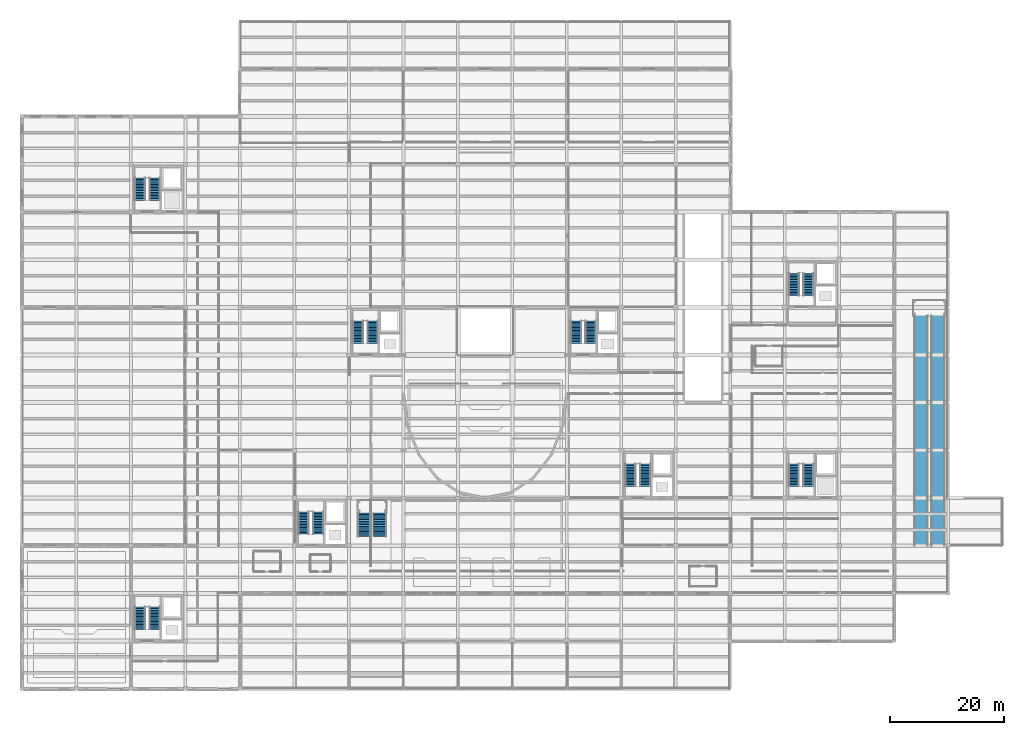
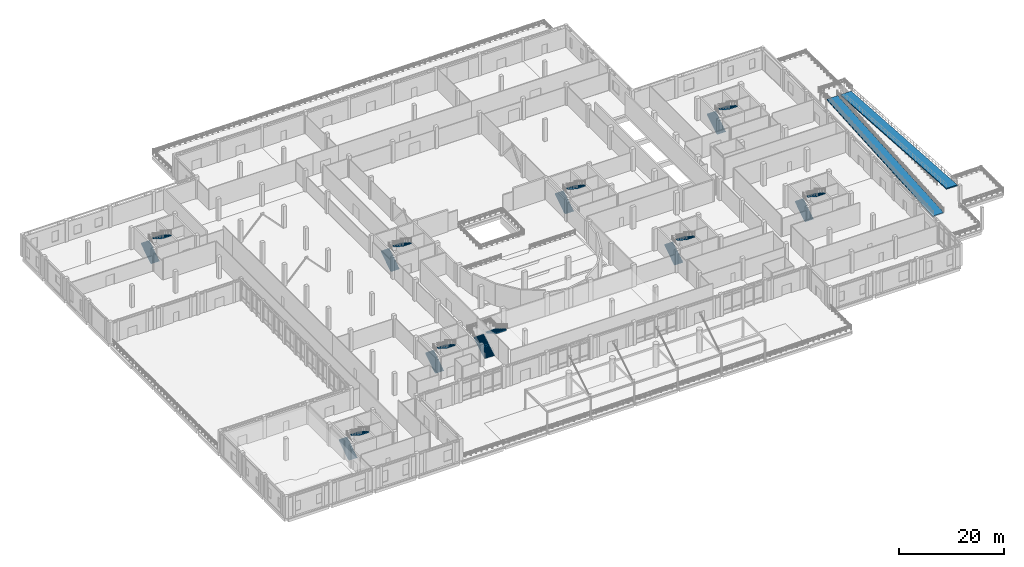
# One storey, part 60 of 71: 18 stair flights, 2 ramp flights, 10 elements without a shape of their own.
"""IFC4 building model written with IfcOpenShell, lengths in metres."""

from ifc_helpers import new_model, si_unit, direction, frame, origin, place, context, subcontext, project, spatial, polyline, outline, extrude, material, layer, layer_set, type_object, element, aggregate, save


model = new_model("IFC4")

# Units and contexts
model_context = context("Model", 3, precision=1e-05, world=origin(), true_north=direction((0.0, 1.0)))
body_context = subcontext(model_context, "Body", "Model", "MODEL_VIEW")
ifc_project = project(units=[si_unit("LENGTHUNIT", "METRE"), si_unit("AREAUNIT", "SQUARE_METRE"), si_unit("VOLUMEUNIT", "CUBIC_METRE"), si_unit("PLANEANGLEUNIT", "RADIAN"), si_unit("MASSUNIT", "GRAM", prefix="KILO")], contexts=[model_context])

# Site, building, storey
site_placement = place(None, origin())
site = spatial("IfcSite", under=ifc_project, at=site_placement, CompositionType="ELEMENT")
building_placement = place(site_placement, origin())
building = spatial("IfcBuilding", under=site, at=building_placement, Name="Lornevale Opera House", CompositionType="ELEMENT")
storey_placement = place(building_placement, origin())
storey = spatial("IfcBuildingStorey", under=building, at=storey_placement, Name="L01", CompositionType="ELEMENT", Elevation=0.0)

# Stair, stair flights
ifc_material_1 = material(Name="Concrete 35 MPa (CSA A23.1 N)", Category="concrete")
ifc_layer_1 = layer(ifc_material_1, 5.39990234375)
ifc_layer_set_1 = layer_set([ifc_layer_1], Name="Concrete 35 MPa (CSA A23.1 N)")
stair_type_1 = type_object("IfcStairType", Name="Protected Exit Stair 5400-W1840", PredefinedType="TWO_STRAIGHT_RUN_STAIR", material=ifc_layer_set_1)
stair_1_placement = place(storey_placement, origin())
stair_1 = element("IfcStair", 1, at=stair_1_placement, inside=storey, type_object=stair_type_1, Name="South-West Foyer Core Stair ST-03 (L01-L02)", PredefinedType="TWO_STRAIGHT_RUN_STAIR")
ifc_layer_2 = layer(ifc_material_1, 0.199951171875)
ifc_layer_set_2 = layer_set([ifc_layer_2], Name="Concrete 35 MPa (CSA A23.1 N)")
stair_flight_type_1 = type_object("IfcStairFlightType", Name="Exit Stair Flight 15R-180-W1840", PredefinedType="STRAIGHT", material=ifc_layer_set_2)
stair_flight_1_placement = place(storey_placement, frame((49.60009765625, 27.260009765625, 0.0), z_axis=(0.0, 0.0, 1.0), x_axis=(0.0, 1.0, 0.0)))
stair_flight_1 = element("IfcStairFlight", 2, at=stair_flight_1_placement, type_object=stair_flight_type_1, Name="ST-03 Lower Flight SF-005", NumberOfRisers=15, NumberOfTreads=14, PredefinedType="STRAIGHT", RiserHeight=0.18, TreadLength=0.28, context=body_context, shape_type="SweptSolid", body=[
    extrude(outline(polyline([(0.0, 0.0), (0.0, 0.179931640625), (0.280029296875, 0.179931640625), (0.280029296875, 0.360107421875), (0.56005859375, 0.360107421875), (0.56005859375, 0.5400390625), (0.840087890625, 0.5400390625), (0.840087890625, 0.719970703125), (1.1201171875, 0.719970703125), (1.1201171875, 0.89990234375), (1.39990234375, 0.89990234375), (1.39990234375, 1.080078125), (1.679931640625, 1.080078125), (1.679931640625, 1.260009765625), (1.9599609375, 1.260009765625), (1.9599609375, 1.43994140625), (2.239990234375, 1.43994140625), (2.239990234375, 1.6201171875), (2.52001953125, 1.6201171875), (2.52001953125, 1.800048828125), (2.800048828125, 1.800048828125), (2.800048828125, 1.97998046875), (3.080078125, 1.97998046875), (3.080078125, 2.159912109375), (3.360107421875, 2.159912109375), (3.360107421875, 2.340087890625), (3.639892578125, 2.340087890625), (3.639892578125, 2.52001953125), (3.919921875, 2.52001953125), (3.919921875, 2.2822265625), (0.369873046875, 0.0), (0.0, 0.0)])), frame((0.0, 0.919921875, 0.0), z_axis=(0.0, -1.0, 0.0), x_axis=(1.0, 0.0, 0.0)), (0.0, 0.0, 1.0), 1.840087890625),
])
stair_flight_2_placement = place(storey_placement, frame((52.199951171875, 31.179931640625, 2.699951171875), z_axis=(0.0, 0.0, 1.0), x_axis=(0.0, -1.0, 0.0)))
stair_flight_2 = element("IfcStairFlight", 3, at=stair_flight_2_placement, type_object=stair_flight_type_1, Name="ST-03 Upper Flight SF-006", NumberOfRisers=15, NumberOfTreads=14, PredefinedType="STRAIGHT", RiserHeight=0.18, TreadLength=0.28, context=body_context, shape_type="SweptSolid", body=[
    extrude(outline(polyline([(0.0, 0.0), (0.0, 0.179931640625), (0.280029296875, 0.179931640625), (0.280029296875, 0.360107421875), (0.56005859375, 0.360107421875), (0.56005859375, 0.5400390625), (0.840087890625, 0.5400390625), (0.840087890625, 0.719970703125), (1.1201171875, 0.719970703125), (1.1201171875, 0.89990234375), (1.39990234375, 0.89990234375), (1.39990234375, 1.080078125), (1.679931640625, 1.080078125), (1.679931640625, 1.260009765625), (1.9599609375, 1.260009765625), (1.9599609375, 1.43994140625), (2.239990234375, 1.43994140625), (2.239990234375, 1.6201171875), (2.52001953125, 1.6201171875), (2.52001953125, 1.800048828125), (2.800048828125, 1.800048828125), (2.800048828125, 1.97998046875), (3.080078125, 1.97998046875), (3.080078125, 2.159912109375), (3.360107421875, 2.159912109375), (3.360107421875, 2.340087890625), (3.639892578125, 2.340087890625), (3.639892578125, 2.52001953125), (3.919921875, 2.52001953125), (3.919921875, 2.2822265625), (0.369873046875, 0.0), (0.0, 0.0)])), frame((0.0, 0.919921875, 0.0), z_axis=(0.0, -1.0, 0.0), x_axis=(1.0, 0.0, 0.0)), (0.0, 0.0, 1.0), 1.840087890625),
])
aggregate(stair_1, [stair_flight_1, stair_flight_2])

stair_2_placement = place(storey_placement, origin())
stair_2 = element("IfcStair", 4, at=stair_2_placement, inside=storey, type_object=stair_type_1, Name="South-East Foyer Core Stair ST-06 (L01-L02)", PredefinedType="TWO_STRAIGHT_RUN_STAIR")
stair_flight_3_placement = place(storey_placement, frame((107.199951171875, 35.659912109375, 0.0), z_axis=(0.0, 0.0, 1.0), x_axis=(0.0, 1.0, 0.0)))
stair_flight_3 = element("IfcStairFlight", 5, at=stair_flight_3_placement, type_object=stair_flight_type_1, Name="ST-06 Lower Flight SF-011", NumberOfRisers=15, NumberOfTreads=14, PredefinedType="STRAIGHT", RiserHeight=0.18, TreadLength=0.28, context=body_context, shape_type="SweptSolid", body=[
    extrude(outline(polyline([(0.0, 0.0), (0.0, 0.179931640625), (0.280029296875, 0.179931640625), (0.280029296875, 0.360107421875), (0.56005859375, 0.360107421875), (0.56005859375, 0.5400390625), (0.840087890625, 0.5400390625), (0.840087890625, 0.719970703125), (1.1201171875, 0.719970703125), (1.1201171875, 0.89990234375), (1.39990234375, 0.89990234375), (1.39990234375, 1.080078125), (1.679931640625, 1.080078125), (1.679931640625, 1.260009765625), (1.9599609375, 1.260009765625), (1.9599609375, 1.43994140625), (2.239990234375, 1.43994140625), (2.239990234375, 1.6201171875), (2.52001953125, 1.6201171875), (2.52001953125, 1.800048828125), (2.800048828125, 1.800048828125), (2.800048828125, 1.97998046875), (3.080078125, 1.97998046875), (3.080078125, 2.159912109375), (3.360107421875, 2.159912109375), (3.360107421875, 2.340087890625), (3.639892578125, 2.340087890625), (3.639892578125, 2.52001953125), (3.919921875, 2.52001953125), (3.919921875, 2.2822265625), (0.369873046875, 0.0), (0.0, 0.0)])), frame((0.0, 0.919921875, 0.0), z_axis=(0.0, -1.0, 0.0), x_axis=(1.0, 0.0, 0.0)), (0.0, 0.0, 1.0), 1.840087890625),
])
stair_flight_4_placement = place(storey_placement, frame((109.800048828125, 39.580078125, 2.699951171875), z_axis=(0.0, 0.0, 1.0), x_axis=(0.0, -1.0, 0.0)))
stair_flight_4 = element("IfcStairFlight", 6, at=stair_flight_4_placement, type_object=stair_flight_type_1, Name="ST-06 Upper Flight SF-012", NumberOfRisers=15, NumberOfTreads=14, PredefinedType="STRAIGHT", RiserHeight=0.18, TreadLength=0.28, context=body_context, shape_type="SweptSolid", body=[
    extrude(outline(polyline([(0.0, 0.0), (0.0, 0.179931640625), (0.280029296875, 0.179931640625), (0.280029296875, 0.360107421875), (0.56005859375, 0.360107421875), (0.56005859375, 0.5400390625), (0.840087890625, 0.5400390625), (0.840087890625, 0.719970703125), (1.1201171875, 0.719970703125), (1.1201171875, 0.89990234375), (1.39990234375, 0.89990234375), (1.39990234375, 1.080078125), (1.679931640625, 1.080078125), (1.679931640625, 1.260009765625), (1.9599609375, 1.260009765625), (1.9599609375, 1.43994140625), (2.239990234375, 1.43994140625), (2.239990234375, 1.6201171875), (2.52001953125, 1.6201171875), (2.52001953125, 1.800048828125), (2.800048828125, 1.800048828125), (2.800048828125, 1.97998046875), (3.080078125, 1.97998046875), (3.080078125, 2.159912109375), (3.360107421875, 2.159912109375), (3.360107421875, 2.340087890625), (3.639892578125, 2.340087890625), (3.639892578125, 2.52001953125), (3.919921875, 2.52001953125), (3.919921875, 2.2822265625), (0.369873046875, 0.0), (0.0, 0.0)])), frame((0.0, 0.919921875, 0.0), z_axis=(0.0, -1.0, 0.0), x_axis=(1.0, 0.0, 0.0)), (0.0, 0.0, 1.0), 1.840087890625),
])
aggregate(stair_2, [stair_flight_3, stair_flight_4])

stair_3_placement = place(storey_placement, origin())
stair_3 = element("IfcStair", 7, at=stair_3_placement, inside=storey, type_object=stair_type_1, Name="Chamber Pavilion Core Stair ST-10 (L01-L02)", PredefinedType="TWO_STRAIGHT_RUN_STAIR")
stair_flight_5_placement = place(storey_placement, frame((20.800048828125, 10.4599609375, 0.0), z_axis=(0.0, 0.0, 1.0), x_axis=(0.0, 1.0, 0.0)))
stair_flight_5 = element("IfcStairFlight", 8, at=stair_flight_5_placement, type_object=stair_flight_type_1, Name="ST-10 Lower Flight SF-019", NumberOfRisers=15, NumberOfTreads=14, PredefinedType="STRAIGHT", RiserHeight=0.18, TreadLength=0.28, context=body_context, shape_type="SweptSolid", body=[
    extrude(outline(polyline([(0.0, 0.0), (0.0, 0.179931640625), (0.280029296875, 0.179931640625), (0.280029296875, 0.360107421875), (0.56005859375, 0.360107421875), (0.56005859375, 0.5400390625), (0.840087890625, 0.5400390625), (0.840087890625, 0.719970703125), (1.1201171875, 0.719970703125), (1.1201171875, 0.89990234375), (1.39990234375, 0.89990234375), (1.39990234375, 1.080078125), (1.679931640625, 1.080078125), (1.679931640625, 1.260009765625), (1.9599609375, 1.260009765625), (1.9599609375, 1.43994140625), (2.239990234375, 1.43994140625), (2.239990234375, 1.6201171875), (2.52001953125, 1.6201171875), (2.52001953125, 1.800048828125), (2.800048828125, 1.800048828125), (2.800048828125, 1.97998046875), (3.080078125, 1.97998046875), (3.080078125, 2.159912109375), (3.360107421875, 2.159912109375), (3.360107421875, 2.340087890625), (3.639892578125, 2.340087890625), (3.639892578125, 2.52001953125), (3.919921875, 2.52001953125), (3.919921875, 2.2822265625), (0.369873046875, 0.0), (0.0, 0.0)])), frame((0.0, 0.919921875, 0.0), z_axis=(0.0, -1.0, 0.0), x_axis=(1.0, 0.0, 0.0)), (0.0, 0.0, 1.0), 1.840087890625),
])
stair_flight_6_placement = place(storey_placement, frame((23.39990234375, 14.3798828125, 2.699951171875), z_axis=(0.0, 0.0, 1.0), x_axis=(0.0, -1.0, 0.0)))
stair_flight_6 = element("IfcStairFlight", 9, at=stair_flight_6_placement, type_object=stair_flight_type_1, Name="ST-10 Upper Flight SF-020", NumberOfRisers=15, NumberOfTreads=14, PredefinedType="STRAIGHT", RiserHeight=0.18, TreadLength=0.28, context=body_context, shape_type="SweptSolid", body=[
    extrude(outline(polyline([(0.0, 0.0), (0.0, 0.179931640625), (0.280029296875, 0.179931640625), (0.280029296875, 0.360107421875), (0.56005859375, 0.360107421875), (0.56005859375, 0.5400390625), (0.840087890625, 0.5400390625), (0.840087890625, 0.719970703125), (1.1201171875, 0.719970703125), (1.1201171875, 0.89990234375), (1.39990234375, 0.89990234375), (1.39990234375, 1.080078125), (1.679931640625, 1.080078125), (1.679931640625, 1.260009765625), (1.9599609375, 1.260009765625), (1.9599609375, 1.43994140625), (2.239990234375, 1.43994140625), (2.239990234375, 1.6201171875), (2.52001953125, 1.6201171875), (2.52001953125, 1.800048828125), (2.800048828125, 1.800048828125), (2.800048828125, 1.97998046875), (3.080078125, 1.97998046875), (3.080078125, 2.159912109375), (3.360107421875, 2.159912109375), (3.360107421875, 2.340087890625), (3.639892578125, 2.340087890625), (3.639892578125, 2.52001953125), (3.919921875, 2.52001953125), (3.919921875, 2.2822265625), (0.369873046875, 0.0), (0.0, 0.0)])), frame((0.0, 0.919921875, 0.0), z_axis=(0.0, -1.0, 0.0), x_axis=(1.0, 0.0, 0.0)), (0.0, 0.0, 1.0), 1.840087890625),
])
aggregate(stair_3, [stair_flight_5, stair_flight_6])

stair_4_placement = place(storey_placement, origin())
stair_4 = element("IfcStair", 10, at=stair_4_placement, inside=storey, type_object=stair_type_1, Name="North-West Workshop Core Stair ST-13 (L01-L02)", PredefinedType="TWO_STRAIGHT_RUN_STAIR")
stair_flight_7_placement = place(storey_placement, frame((20.800048828125, 86.06005859375, 0.0), z_axis=(0.0, 0.0, 1.0), x_axis=(0.0, 1.0, 0.0)))
stair_flight_7 = element("IfcStairFlight", 11, at=stair_flight_7_placement, type_object=stair_flight_type_1, Name="ST-13 Lower Flight SF-025", NumberOfRisers=15, NumberOfTreads=14, PredefinedType="STRAIGHT", RiserHeight=0.18, TreadLength=0.28, context=body_context, shape_type="SweptSolid", body=[
    extrude(outline(polyline([(0.0, 0.0), (0.0, 0.179931640625), (0.280029296875, 0.179931640625), (0.280029296875, 0.360107421875), (0.56005859375, 0.360107421875), (0.56005859375, 0.5400390625), (0.840087890625, 0.5400390625), (0.840087890625, 0.719970703125), (1.1201171875, 0.719970703125), (1.1201171875, 0.89990234375), (1.39990234375, 0.89990234375), (1.39990234375, 1.080078125), (1.679931640625, 1.080078125), (1.679931640625, 1.260009765625), (1.9599609375, 1.260009765625), (1.9599609375, 1.43994140625), (2.239990234375, 1.43994140625), (2.239990234375, 1.6201171875), (2.52001953125, 1.6201171875), (2.52001953125, 1.800048828125), (2.800048828125, 1.800048828125), (2.800048828125, 1.97998046875), (3.080078125, 1.97998046875), (3.080078125, 2.159912109375), (3.360107421875, 2.159912109375), (3.360107421875, 2.340087890625), (3.639892578125, 2.340087890625), (3.639892578125, 2.52001953125), (3.919921875, 2.52001953125), (3.919921875, 2.2822265625), (0.369873046875, 0.0), (0.0, 0.0)])), frame((0.0, 0.919921875, 0.0), z_axis=(0.0, -1.0, 0.0), x_axis=(1.0, 0.0, 0.0)), (0.0, 0.0, 1.0), 1.840087890625),
])
stair_flight_8_placement = place(storey_placement, frame((23.39990234375, 89.97998046875, 2.699951171875), z_axis=(0.0, 0.0, 1.0), x_axis=(0.0, -1.0, 0.0)))
stair_flight_8 = element("IfcStairFlight", 12, at=stair_flight_8_placement, type_object=stair_flight_type_1, Name="ST-13 Upper Flight SF-026", NumberOfRisers=15, NumberOfTreads=14, PredefinedType="STRAIGHT", RiserHeight=0.18, TreadLength=0.28, context=body_context, shape_type="SweptSolid", body=[
    extrude(outline(polyline([(0.0, 0.0), (0.0, 0.179931640625), (0.280029296875, 0.179931640625), (0.280029296875, 0.360107421875), (0.56005859375, 0.360107421875), (0.56005859375, 0.5400390625), (0.840087890625, 0.5400390625), (0.840087890625, 0.719970703125), (1.1201171875, 0.719970703125), (1.1201171875, 0.89990234375), (1.39990234375, 0.89990234375), (1.39990234375, 1.080078125), (1.679931640625, 1.080078125), (1.679931640625, 1.260009765625), (1.9599609375, 1.260009765625), (1.9599609375, 1.43994140625), (2.239990234375, 1.43994140625), (2.239990234375, 1.6201171875), (2.52001953125, 1.6201171875), (2.52001953125, 1.800048828125), (2.800048828125, 1.800048828125), (2.800048828125, 1.97998046875), (3.080078125, 1.97998046875), (3.080078125, 2.159912109375), (3.360107421875, 2.159912109375), (3.360107421875, 2.340087890625), (3.639892578125, 2.340087890625), (3.639892578125, 2.52001953125), (3.919921875, 2.52001953125), (3.919921875, 2.2822265625), (0.369873046875, 0.0), (0.0, 0.0)])), frame((0.0, 0.919921875, 0.0), z_axis=(0.0, -1.0, 0.0), x_axis=(1.0, 0.0, 0.0)), (0.0, 0.0, 1.0), 1.840087890625),
])
aggregate(stair_4, [stair_flight_7, stair_flight_8])

stair_5_placement = place(storey_placement, origin())
stair_5 = element("IfcStair", 13, at=stair_5_placement, inside=storey, type_object=stair_type_1, Name="Auditorium West Tier Core Stair ST-16 (L01-L02)", PredefinedType="TWO_STRAIGHT_RUN_STAIR")
stair_flight_9_placement = place(storey_placement, frame((59.199951171875, 60.860107421875, 0.0), z_axis=(0.0, 0.0, 1.0), x_axis=(0.0, 1.0, 0.0)))
stair_flight_9 = element("IfcStairFlight", 14, at=stair_flight_9_placement, type_object=stair_flight_type_1, Name="ST-16 Lower Flight SF-031", NumberOfRisers=15, NumberOfTreads=14, PredefinedType="STRAIGHT", RiserHeight=0.18, TreadLength=0.28, context=body_context, shape_type="SweptSolid", body=[
    extrude(outline(polyline([(0.0, 0.0), (0.0, 0.179931640625), (0.280029296875, 0.179931640625), (0.280029296875, 0.360107421875), (0.56005859375, 0.360107421875), (0.56005859375, 0.5400390625), (0.840087890625, 0.5400390625), (0.840087890625, 0.719970703125), (1.1201171875, 0.719970703125), (1.1201171875, 0.89990234375), (1.39990234375, 0.89990234375), (1.39990234375, 1.080078125), (1.679931640625, 1.080078125), (1.679931640625, 1.260009765625), (1.9599609375, 1.260009765625), (1.9599609375, 1.43994140625), (2.239990234375, 1.43994140625), (2.239990234375, 1.6201171875), (2.52001953125, 1.6201171875), (2.52001953125, 1.800048828125), (2.800048828125, 1.800048828125), (2.800048828125, 1.97998046875), (3.080078125, 1.97998046875), (3.080078125, 2.159912109375), (3.360107421875, 2.159912109375), (3.360107421875, 2.340087890625), (3.639892578125, 2.340087890625), (3.639892578125, 2.52001953125), (3.919921875, 2.52001953125), (3.919921875, 2.2822265625), (0.369873046875, 0.0), (0.0, 0.0)])), frame((0.0, 0.919921875, 0.0), z_axis=(0.0, -1.0, 0.0), x_axis=(1.0, 0.0, 0.0)), (0.0, 0.0, 1.0), 1.840087890625),
])
stair_flight_10_placement = place(storey_placement, frame((61.800048828125, 64.780029296875, 2.699951171875), z_axis=(0.0, 0.0, 1.0), x_axis=(0.0, -1.0, 0.0)))
stair_flight_10 = element("IfcStairFlight", 15, at=stair_flight_10_placement, type_object=stair_flight_type_1, Name="ST-16 Upper Flight SF-032", NumberOfRisers=15, NumberOfTreads=14, PredefinedType="STRAIGHT", RiserHeight=0.18, TreadLength=0.28, context=body_context, shape_type="SweptSolid", body=[
    extrude(outline(polyline([(0.0, 0.0), (0.0, 0.179931640625), (0.280029296875, 0.179931640625), (0.280029296875, 0.360107421875), (0.56005859375, 0.360107421875), (0.56005859375, 0.5400390625), (0.840087890625, 0.5400390625), (0.840087890625, 0.719970703125), (1.1201171875, 0.719970703125), (1.1201171875, 0.89990234375), (1.39990234375, 0.89990234375), (1.39990234375, 1.080078125), (1.679931640625, 1.080078125), (1.679931640625, 1.260009765625), (1.9599609375, 1.260009765625), (1.9599609375, 1.43994140625), (2.239990234375, 1.43994140625), (2.239990234375, 1.6201171875), (2.52001953125, 1.6201171875), (2.52001953125, 1.800048828125), (2.800048828125, 1.800048828125), (2.800048828125, 1.97998046875), (3.080078125, 1.97998046875), (3.080078125, 2.159912109375), (3.360107421875, 2.159912109375), (3.360107421875, 2.340087890625), (3.639892578125, 2.340087890625), (3.639892578125, 2.52001953125), (3.919921875, 2.52001953125), (3.919921875, 2.2822265625), (0.369873046875, 0.0), (0.0, 0.0)])), frame((0.0, 0.919921875, 0.0), z_axis=(0.0, -1.0, 0.0), x_axis=(1.0, 0.0, 0.0)), (0.0, 0.0, 1.0), 1.840087890625),
])
aggregate(stair_5, [stair_flight_9, stair_flight_10])

stair_6_placement = place(storey_placement, origin())
stair_6 = element("IfcStair", 16, at=stair_6_placement, inside=storey, type_object=stair_type_1, Name="Backstage Service Lift Core Stair ST-37 (L01-L02)", PredefinedType="TWO_STRAIGHT_RUN_STAIR")
stair_flight_11_placement = place(storey_placement, frame((136.0, 35.659912109375, 0.0), z_axis=(0.0, 0.0, 1.0), x_axis=(0.0, 1.0, 0.0)))
stair_flight_11 = element("IfcStairFlight", 17, at=stair_flight_11_placement, type_object=stair_flight_type_1, Name="ST-37 Lower Flight SF-073", NumberOfRisers=15, NumberOfTreads=14, PredefinedType="STRAIGHT", RiserHeight=0.18, TreadLength=0.28, context=body_context, shape_type="SweptSolid", body=[
    extrude(outline(polyline([(0.0, 0.0), (0.0, 0.179931640625), (0.280029296875, 0.179931640625), (0.280029296875, 0.360107421875), (0.56005859375, 0.360107421875), (0.56005859375, 0.5400390625), (0.840087890625, 0.5400390625), (0.840087890625, 0.719970703125), (1.1201171875, 0.719970703125), (1.1201171875, 0.89990234375), (1.39990234375, 0.89990234375), (1.39990234375, 1.080078125), (1.679931640625, 1.080078125), (1.679931640625, 1.260009765625), (1.9599609375, 1.260009765625), (1.9599609375, 1.43994140625), (2.239990234375, 1.43994140625), (2.239990234375, 1.6201171875), (2.52001953125, 1.6201171875), (2.52001953125, 1.800048828125), (2.800048828125, 1.800048828125), (2.800048828125, 1.97998046875), (3.080078125, 1.97998046875), (3.080078125, 2.159912109375), (3.360107421875, 2.159912109375), (3.360107421875, 2.340087890625), (3.639892578125, 2.340087890625), (3.639892578125, 2.52001953125), (3.919921875, 2.52001953125), (3.919921875, 2.2822265625), (0.369873046875, 0.0), (0.0, 0.0)])), frame((0.0, 0.919921875, 0.0), z_axis=(0.0, -1.0, 0.0), x_axis=(1.0, 0.0, 0.0)), (0.0, 0.0, 1.0), 1.840087890625),
])
stair_flight_12_placement = place(storey_placement, frame((138.60009765625, 39.580078125, 2.699951171875), z_axis=(0.0, 0.0, 1.0), x_axis=(0.0, -1.0, 0.0)))
stair_flight_12 = element("IfcStairFlight", 18, at=stair_flight_12_placement, type_object=stair_flight_type_1, Name="ST-37 Upper Flight SF-074", NumberOfRisers=15, NumberOfTreads=14, PredefinedType="STRAIGHT", RiserHeight=0.18, TreadLength=0.28, context=body_context, shape_type="SweptSolid", body=[
    extrude(outline(polyline([(0.0, 0.0), (0.0, 0.179931640625), (0.280029296875, 0.179931640625), (0.280029296875, 0.360107421875), (0.56005859375, 0.360107421875), (0.56005859375, 0.5400390625), (0.840087890625, 0.5400390625), (0.840087890625, 0.719970703125), (1.1201171875, 0.719970703125), (1.1201171875, 0.89990234375), (1.39990234375, 0.89990234375), (1.39990234375, 1.080078125), (1.679931640625, 1.080078125), (1.679931640625, 1.260009765625), (1.9599609375, 1.260009765625), (1.9599609375, 1.43994140625), (2.239990234375, 1.43994140625), (2.239990234375, 1.6201171875), (2.52001953125, 1.6201171875), (2.52001953125, 1.800048828125), (2.800048828125, 1.800048828125), (2.800048828125, 1.97998046875), (3.080078125, 1.97998046875), (3.080078125, 2.159912109375), (3.360107421875, 2.159912109375), (3.360107421875, 2.340087890625), (3.639892578125, 2.340087890625), (3.639892578125, 2.52001953125), (3.919921875, 2.52001953125), (3.919921875, 2.2822265625), (0.369873046875, 0.0), (0.0, 0.0)])), frame((0.0, 0.919921875, 0.0), z_axis=(0.0, -1.0, 0.0), x_axis=(1.0, 0.0, 0.0)), (0.0, 0.0, 1.0), 1.840087890625),
])
aggregate(stair_6, [stair_flight_11, stair_flight_12])

ifc_layer_3 = layer(ifc_material_1, 5.39990234375)
ifc_layer_set_3 = layer_set([ifc_layer_3], Name="Concrete 35 MPa (CSA A23.1 N)")
stair_type_2 = type_object("IfcStairType", Name="Grand Foyer Feature Stair 5400-W2200", PredefinedType="TWO_STRAIGHT_RUN_STAIR", material=ifc_layer_set_3)
stair_7_placement = place(storey_placement, origin())
stair_7 = element("IfcStair", 19, at=stair_7_placement, inside=storey, type_object=stair_type_2, Name="Winter-Garden Grand Stair ST-40", PredefinedType="TWO_STRAIGHT_RUN_STAIR")
ifc_layer_4 = layer(ifc_material_1, 0.239990234375)
ifc_layer_set_4 = layer_set([ifc_layer_4], Name="Concrete 35 MPa (CSA A23.1 N)")
stair_flight_type_2 = type_object("IfcStairFlightType", Name="Feature Stair Flight 15R-W2200", PredefinedType="STRAIGHT", material=ifc_layer_set_4)
stair_flight_13_placement = place(storey_placement, frame((60.39990234375, 26.800048828125, 0.0), z_axis=(0.0, 0.0, 1.0), x_axis=(0.0, 1.0, 0.0)))
stair_flight_13 = element("IfcStairFlight", 20, at=stair_flight_13_placement, type_object=stair_flight_type_2, Name="Grand Stair Lower Flight ST-40", NumberOfRisers=15, NumberOfTreads=14, PredefinedType="STRAIGHT", RiserHeight=0.18, TreadLength=0.3, context=body_context, shape_type="SweptSolid", body=[
    extrude(outline(polyline([(0.0, 0.0), (0.0, 0.179931640625), (0.300048828125, 0.179931640625), (0.300048828125, 0.360107421875), (0.60009765625, 0.360107421875), (0.60009765625, 0.5400390625), (0.89990234375, 0.5400390625), (0.89990234375, 0.719970703125), (1.199951171875, 0.719970703125), (1.199951171875, 0.89990234375), (1.5, 0.89990234375), (1.5, 1.080078125), (1.800048828125, 1.080078125), (1.800048828125, 1.260009765625), (2.10009765625, 1.260009765625), (2.10009765625, 1.43994140625), (2.39990234375, 1.43994140625), (2.39990234375, 1.6201171875), (2.699951171875, 1.6201171875), (2.699951171875, 1.800048828125), (3.0, 1.800048828125), (3.0, 1.97998046875), (3.300048828125, 1.97998046875), (3.300048828125, 2.159912109375), (3.60009765625, 2.159912109375), (3.60009765625, 2.340087890625), (3.89990234375, 2.340087890625), (3.89990234375, 2.52001953125), (4.199951171875, 2.52001953125), (4.199951171875, 2.240234375), (0.466552734375, 0.0), (0.0, 0.0)])), frame((0.0, 1.10009765625, 0.0), z_axis=(0.0, -1.0, 0.0), x_axis=(1.0, 0.0, 0.0)), (0.0, 0.0, 1.0), 2.199951171875),
])
stair_flight_14_placement = place(storey_placement, frame((63.0, 31.0, 2.699951171875), z_axis=(0.0, 0.0, 1.0), x_axis=(0.0, -1.0, 0.0)))
stair_flight_14 = element("IfcStairFlight", 21, at=stair_flight_14_placement, type_object=stair_flight_type_2, Name="Grand Stair Upper Flight ST-40", NumberOfRisers=15, NumberOfTreads=14, PredefinedType="STRAIGHT", RiserHeight=0.18, TreadLength=0.3, context=body_context, shape_type="SweptSolid", body=[
    extrude(outline(polyline([(0.0, 0.0), (0.0, 0.179931640625), (0.300048828125, 0.179931640625), (0.300048828125, 0.360107421875), (0.60009765625, 0.360107421875), (0.60009765625, 0.5400390625), (0.89990234375, 0.5400390625), (0.89990234375, 0.719970703125), (1.199951171875, 0.719970703125), (1.199951171875, 0.89990234375), (1.5, 0.89990234375), (1.5, 1.080078125), (1.800048828125, 1.080078125), (1.800048828125, 1.260009765625), (2.10009765625, 1.260009765625), (2.10009765625, 1.43994140625), (2.39990234375, 1.43994140625), (2.39990234375, 1.6201171875), (2.699951171875, 1.6201171875), (2.699951171875, 1.800048828125), (3.0, 1.800048828125), (3.0, 1.97998046875), (3.300048828125, 1.97998046875), (3.300048828125, 2.159912109375), (3.60009765625, 2.159912109375), (3.60009765625, 2.340087890625), (3.89990234375, 2.340087890625), (3.89990234375, 2.52001953125), (4.199951171875, 2.52001953125), (4.199951171875, 2.240234375), (0.466552734375, 0.0), (0.0, 0.0)])), frame((0.0, 1.10009765625, 0.0), z_axis=(0.0, -1.0, 0.0), x_axis=(1.0, 0.0, 0.0)), (0.0, 0.0, 1.0), 2.199951171875),
])
aggregate(stair_7, [stair_flight_13, stair_flight_14])

ifc_layer_5 = layer(ifc_material_1, 5.39990234375)
ifc_layer_set_5 = layer_set([ifc_layer_5], Name="Concrete 35 MPa (CSA A23.1 N)")
stair_type_3 = type_object("IfcStairType", Name="Firefighter Core Stair 5400-W1880", PredefinedType="TWO_STRAIGHT_RUN_STAIR", material=ifc_layer_set_5)
stair_8_placement = place(storey_placement, origin())
stair_8 = element("IfcStair", 22, at=stair_8_placement, inside=storey, type_object=stair_type_3, Name="Stagehouse Firefighter Core West Stair ST-22 (L01-L02)", PredefinedType="TWO_STRAIGHT_RUN_STAIR")
ifc_layer_6 = layer(ifc_material_1, 0.219970703125)
ifc_layer_set_6 = layer_set([ifc_layer_6], Name="Concrete 35 MPa (CSA A23.1 N)")
stair_flight_type_3 = type_object("IfcStairFlightType", Name="Firefighter Flight 15R-180-W1880", PredefinedType="STRAIGHT", material=ifc_layer_set_6)
stair_flight_15_placement = place(storey_placement, frame((97.6201171875, 60.860107421875, 0.0), z_axis=(0.0, 0.0, 1.0), x_axis=(0.0, 1.0, 0.0)))
stair_flight_15 = element("IfcStairFlight", 23, at=stair_flight_15_placement, type_object=stair_flight_type_3, Name="ST-22 Lower Flight SF-043", NumberOfRisers=15, NumberOfTreads=14, PredefinedType="STRAIGHT", RiserHeight=0.18, TreadLength=0.28, context=body_context, shape_type="SweptSolid", body=[
    extrude(outline(polyline([(0.0, 0.0), (0.0, 0.179931640625), (0.280029296875, 0.179931640625), (0.280029296875, 0.360107421875), (0.56005859375, 0.360107421875), (0.56005859375, 0.5400390625), (0.840087890625, 0.5400390625), (0.840087890625, 0.719970703125), (1.1201171875, 0.719970703125), (1.1201171875, 0.89990234375), (1.39990234375, 0.89990234375), (1.39990234375, 1.080078125), (1.679931640625, 1.080078125), (1.679931640625, 1.260009765625), (1.9599609375, 1.260009765625), (1.9599609375, 1.43994140625), (2.239990234375, 1.43994140625), (2.239990234375, 1.6201171875), (2.52001953125, 1.6201171875), (2.52001953125, 1.800048828125), (2.800048828125, 1.800048828125), (2.800048828125, 1.97998046875), (3.080078125, 1.97998046875), (3.080078125, 2.159912109375), (3.360107421875, 2.159912109375), (3.360107421875, 2.340087890625), (3.639892578125, 2.340087890625), (3.639892578125, 2.52001953125), (3.919921875, 2.52001953125), (3.919921875, 2.258544921875), (0.40673828125, 0.0), (0.0, 0.0)])), frame((0.0, 0.93994140625, 0.0), z_axis=(0.0, -1.0, 0.0), x_axis=(1.0, 0.0, 0.0)), (0.0, 0.0, 1.0), 1.8798828125),
])
stair_flight_16_placement = place(storey_placement, frame((100.179931640625, 64.780029296875, 2.699951171875), z_axis=(0.0, 0.0, 1.0), x_axis=(0.0, -1.0, 0.0)))
stair_flight_16 = element("IfcStairFlight", 24, at=stair_flight_16_placement, type_object=stair_flight_type_3, Name="ST-22 Upper Flight SF-044", NumberOfRisers=15, NumberOfTreads=14, PredefinedType="STRAIGHT", RiserHeight=0.18, TreadLength=0.28, context=body_context, shape_type="SweptSolid", body=[
    extrude(outline(polyline([(0.0, 0.0), (0.0, 0.179931640625), (0.280029296875, 0.179931640625), (0.280029296875, 0.360107421875), (0.56005859375, 0.360107421875), (0.56005859375, 0.5400390625), (0.840087890625, 0.5400390625), (0.840087890625, 0.719970703125), (1.1201171875, 0.719970703125), (1.1201171875, 0.89990234375), (1.39990234375, 0.89990234375), (1.39990234375, 1.080078125), (1.679931640625, 1.080078125), (1.679931640625, 1.260009765625), (1.9599609375, 1.260009765625), (1.9599609375, 1.43994140625), (2.239990234375, 1.43994140625), (2.239990234375, 1.6201171875), (2.52001953125, 1.6201171875), (2.52001953125, 1.800048828125), (2.800048828125, 1.800048828125), (2.800048828125, 1.97998046875), (3.080078125, 1.97998046875), (3.080078125, 2.159912109375), (3.360107421875, 2.159912109375), (3.360107421875, 2.340087890625), (3.639892578125, 2.340087890625), (3.639892578125, 2.52001953125), (3.919921875, 2.52001953125), (3.919921875, 2.258544921875), (0.40673828125, 0.0), (0.0, 0.0)])), frame((0.0, 0.93994140625, 0.0), z_axis=(0.0, -1.0, 0.0), x_axis=(1.0, 0.0, 0.0)), (0.0, 0.0, 1.0), 1.8798828125),
])
aggregate(stair_8, [stair_flight_15, stair_flight_16])

stair_9_placement = place(storey_placement, origin())
stair_9 = element("IfcStair", 25, at=stair_9_placement, inside=storey, type_object=stair_type_3, Name="Backstage Firefighter Core East Stair ST-30 (L01-L02)", PredefinedType="TWO_STRAIGHT_RUN_STAIR")
stair_flight_17_placement = place(storey_placement, frame((136.02001953125, 69.260009765625, 0.0), z_axis=(0.0, 0.0, 1.0), x_axis=(0.0, 1.0, 0.0)))
stair_flight_17 = element("IfcStairFlight", 26, at=stair_flight_17_placement, type_object=stair_flight_type_3, Name="ST-30 Lower Flight SF-059", NumberOfRisers=15, NumberOfTreads=14, PredefinedType="STRAIGHT", RiserHeight=0.18, TreadLength=0.28, context=body_context, shape_type="SweptSolid", body=[
    extrude(outline(polyline([(0.0, 0.0), (0.0, 0.179931640625), (0.280029296875, 0.179931640625), (0.280029296875, 0.360107421875), (0.56005859375, 0.360107421875), (0.56005859375, 0.5400390625), (0.840087890625, 0.5400390625), (0.840087890625, 0.719970703125), (1.1201171875, 0.719970703125), (1.1201171875, 0.89990234375), (1.39990234375, 0.89990234375), (1.39990234375, 1.080078125), (1.679931640625, 1.080078125), (1.679931640625, 1.260009765625), (1.9599609375, 1.260009765625), (1.9599609375, 1.43994140625), (2.239990234375, 1.43994140625), (2.239990234375, 1.6201171875), (2.52001953125, 1.6201171875), (2.52001953125, 1.800048828125), (2.800048828125, 1.800048828125), (2.800048828125, 1.97998046875), (3.080078125, 1.97998046875), (3.080078125, 2.159912109375), (3.360107421875, 2.159912109375), (3.360107421875, 2.340087890625), (3.639892578125, 2.340087890625), (3.639892578125, 2.52001953125), (3.919921875, 2.52001953125), (3.919921875, 2.258544921875), (0.40673828125, 0.0), (0.0, 0.0)])), frame((0.0, 0.93994140625, 0.0), z_axis=(0.0, -1.0, 0.0), x_axis=(1.0, 0.0, 0.0)), (0.0, 0.0, 1.0), 1.8798828125),
])
stair_flight_18_placement = place(storey_placement, frame((138.580078125, 73.179931640625, 2.699951171875), z_axis=(0.0, 0.0, 1.0), x_axis=(0.0, -1.0, 0.0)))
stair_flight_18 = element("IfcStairFlight", 27, at=stair_flight_18_placement, type_object=stair_flight_type_3, Name="ST-30 Upper Flight SF-060", NumberOfRisers=15, NumberOfTreads=14, PredefinedType="STRAIGHT", RiserHeight=0.18, TreadLength=0.28, context=body_context, shape_type="SweptSolid", body=[
    extrude(outline(polyline([(0.0, 0.0), (0.0, 0.179931640625), (0.280029296875, 0.179931640625), (0.280029296875, 0.360107421875), (0.56005859375, 0.360107421875), (0.56005859375, 0.5400390625), (0.840087890625, 0.5400390625), (0.840087890625, 0.719970703125), (1.1201171875, 0.719970703125), (1.1201171875, 0.89990234375), (1.39990234375, 0.89990234375), (1.39990234375, 1.080078125), (1.679931640625, 1.080078125), (1.679931640625, 1.260009765625), (1.9599609375, 1.260009765625), (1.9599609375, 1.43994140625), (2.239990234375, 1.43994140625), (2.239990234375, 1.6201171875), (2.52001953125, 1.6201171875), (2.52001953125, 1.800048828125), (2.800048828125, 1.800048828125), (2.800048828125, 1.97998046875), (3.080078125, 1.97998046875), (3.080078125, 2.159912109375), (3.360107421875, 2.159912109375), (3.360107421875, 2.340087890625), (3.639892578125, 2.340087890625), (3.639892578125, 2.52001953125), (3.919921875, 2.52001953125), (3.919921875, 2.258544921875), (0.40673828125, 0.0), (0.0, 0.0)])), frame((0.0, 0.93994140625, 0.0), z_axis=(0.0, -1.0, 0.0), x_axis=(1.0, 0.0, 0.0)), (0.0, 0.0, 1.0), 1.8798828125),
])
aggregate(stair_9, [stair_flight_17, stair_flight_18])

# Ramp, ramp flights
ifc_material_2 = material(Name="Concrete 40 MPa (CSA A23.1 C-1)", Category="concrete")
ramp_type = type_object("IfcRampType", Name="Accessible Escarpment Promenade Ramp", PredefinedType="TWO_STRAIGHT_RUN_RAMP", material=ifc_material_2)
ramp_placement = place(storey_placement, origin())
ramp = element("IfcRamp", 28, at=ramp_placement, inside=storey, type_object=ramp_type, Name="Parterre Promenade Ramp Lower Flight", PredefinedType="TWO_STRAIGHT_RUN_RAMP")
ifc_layer_7 = layer(ifc_material_2, 0.239990234375)
ifc_layer_set_7 = layer_set([ifc_layer_7], Name="Concrete 40 MPa (CSA A23.1 C-1)")
ramp_flight_type = type_object("IfcRampFlightType", Name="Accessible Promenade Ramp Flight", PredefinedType="STRAIGHT", material=ifc_layer_set_7)
ramp_flight_1_placement = place(storey_placement, frame((158.39990234375, 25.179931640625, 0.0), z_axis=(0.0, 0.0, 1.0), x_axis=(0.0, 1.0, 0.0)))
ramp_flight_1 = element("IfcRampFlight", 29, at=ramp_flight_1_placement, type_object=ramp_flight_type, Name="Parterre Promenade Ramp Lower Flight Flight", PredefinedType="STRAIGHT", context=body_context, shape_type="SweptSolid", body=[
    extrude(outline(polyline([(0.0, 0.0), (40.5400390625, 2.699951171875), (40.5400390625, 2.4599609375), (0.0, -0.239990234375), (0.0, 0.0)])), frame((0.0, 1.2001953125, 0.0), z_axis=(0.0, -1.0, 0.0), x_axis=(1.0, 0.0, 0.0)), (0.0, 0.0, 1.0), 2.400146484375),
])
ramp_flight_2_placement = place(storey_placement, frame((161.39990234375, 65.719970703125, 2.699951171875), z_axis=(0.0, 0.0, 1.0), x_axis=(0.0, -1.0, 0.0)))
ramp_flight_2 = element("IfcRampFlight", 30, at=ramp_flight_2_placement, type_object=ramp_flight_type, Name="Parterre Promenade Ramp Upper Flight", PredefinedType="STRAIGHT", context=body_context, shape_type="SweptSolid", body=[
    extrude(outline(polyline([(0.0, 0.0), (40.5400390625, 2.699951171875), (40.5400390625, 2.4599609375), (0.0, -0.239990234375), (0.0, 0.0)])), frame((0.0, 1.2001953125, 0.0), z_axis=(0.0, -1.0, 0.0), x_axis=(1.0, 0.0, 0.0)), (0.0, 0.0, 1.0), 2.400146484375),
])
aggregate(ramp, [ramp_flight_1, ramp_flight_2])

save(model, "model.ifc")
